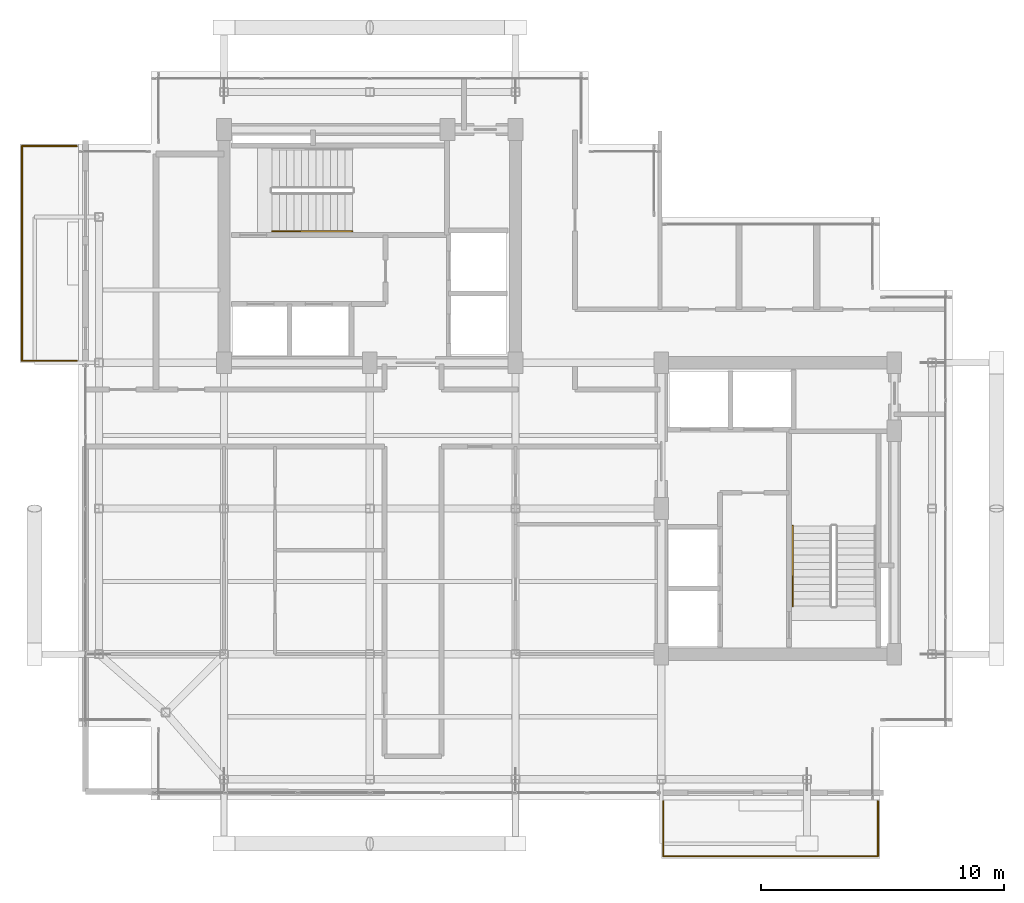
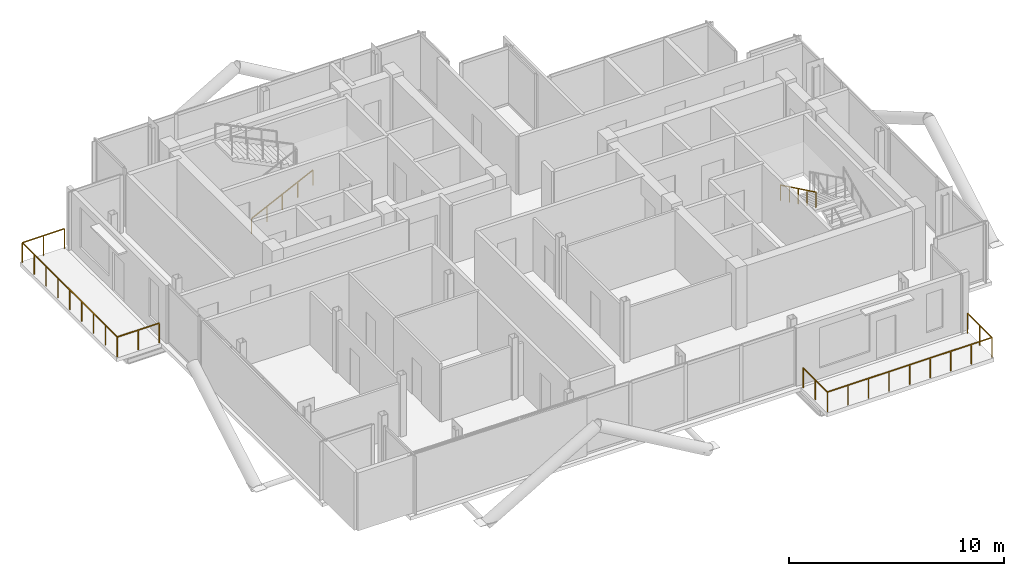
# One storey, part 18 of 19: 4 railings.
"""IFC4 building model written with IfcOpenShell, lengths in metres."""

import ifcopenshell
import ifcopenshell.guid

model = None  # the IFC model being written
_history = None  # IfcOwnerHistory: only IFC2X3 demands one
_inside = {}  # id of a spatial element -> (the spatial element, [elements in it])
_under = {}  # id of a project, library or spatial element -> (it, [spatial elements below it])
_declared = {}  # id of a project -> (the project, [libraries it declares])
_typed = {}  # id of a type object -> (the type object, [elements of that type])
_made_of = {}  # id of a material, layer set ... -> (it, [elements and type objects made of it])


def new_model(schema):
    """Start an empty IFC model of exactly this schema.

    Asked for "IFC4X3", IfcOpenShell would pick the latest addendum, in which some entities
    have other attributes; the version numbers below select the first issue.
    IFC2X3 requires an IfcOwnerHistory on every rooted entity: one is made here for all.
    """
    global model, _history
    if schema == "IFC4X3":
        model = ifcopenshell.file(schema_version=(4, 3, 0, 0))
    else:
        model = ifcopenshell.file(schema=schema)
    _inside.clear()
    _under.clear()
    _declared.clear()
    _typed.clear()
    _made_of.clear()
    _history = None
    if model.schema == "IFC2X3":
        org = make("IfcOrganization", Name="unknown")
        user = make(
            "IfcPersonAndOrganization",
            ThePerson=make("IfcPerson", FamilyName="unknown"),
            TheOrganization=org,
        )
        app = make(
            "IfcApplication",
            ApplicationDeveloper=org,
            Version="unknown",
            ApplicationFullName="unknown",
            ApplicationIdentifier="unknown",
        )
        _history = make(
            "IfcOwnerHistory",
            OwningUser=user,
            OwningApplication=app,
            ChangeAction="ADDED",
            CreationDate=0,
        )
    return model


def make(cls, **values):
    """One entity of the class cls with the attributes given. An attribute that is None is left unset."""
    return model.create_entity(
        cls, **{name: value for name, value in values.items() if value is not None}
    )


def rooted(cls, **values):
    """An entity with a GlobalId (a new one), such as an element, a storey or a relation."""
    return make(cls, GlobalId=ifcopenshell.guid.new(), OwnerHistory=_history, **values)


def si_unit(unit_type, name, prefix=None):
    """IfcSIUnit, for example si_unit("LENGTHUNIT", "METRE", prefix="MILLI")."""
    return make("IfcSIUnit", UnitType=unit_type, Prefix=prefix, Name=name)


def assignment(units):
    """IfcUnitAssignment: the units of a project."""
    return None if units is None else make("IfcUnitAssignment", Units=units)


def point(xyz):
    """IfcCartesianPoint."""
    return None if xyz is None else make("IfcCartesianPoint", Coordinates=xyz)


def direction(xyz):
    """IfcDirection."""
    return None if xyz is None else make("IfcDirection", DirectionRatios=xyz)


def frame(location, z_axis=None, x_axis=None):
    """IfcAxis2Placement3D, a coordinate frame: its origin and axes. An axis left out is left unset."""
    return make(
        "IfcAxis2Placement3D",
        Location=point(location),
        Axis=direction(z_axis),
        RefDirection=direction(x_axis),
    )


def frame_2d(location, x_axis=None):
    """IfcAxis2Placement2D, a coordinate frame in the plane: its origin and x axis."""
    return make(
        "IfcAxis2Placement2D", Location=point(location), RefDirection=direction(x_axis)
    )


def origin():
    """The frame at (0, 0, 0) with its axes left unset."""
    return frame((0.0, 0.0, 0.0))


def origin_2d():
    """The frame at (0, 0) in the plane with its x axis left unset."""
    return frame_2d((0.0, 0.0))


def place(relative_to, where):
    """IfcLocalPlacement: puts the frame where relative to a parent placement (None: the world)."""
    return make(
        "IfcLocalPlacement", PlacementRelTo=relative_to, RelativePlacement=where
    )


def context(
    kind, dimensions, precision=None, world=None, true_north=None, identifier=None
):
    """IfcGeometricRepresentationContext, for example the 3D "Model" context."""
    return make(
        "IfcGeometricRepresentationContext",
        ContextIdentifier=identifier,
        ContextType=kind,
        CoordinateSpaceDimension=dimensions,
        Precision=precision,
        WorldCoordinateSystem=world,
        TrueNorth=true_north,
    )


def subcontext(parent, identifier, kind, view, scale=None):
    """IfcGeometricRepresentationSubContext, for example "Body" below "Model"."""
    return make(
        "IfcGeometricRepresentationSubContext",
        ContextIdentifier=identifier,
        ContextType=kind,
        ParentContext=parent,
        TargetScale=scale,
        TargetView=view,
    )


def project(units=None, contexts=None):
    """IfcProject with its units and contexts."""
    return rooted(
        "IfcProject",
        Name="project",
        RepresentationContexts=contexts,
        UnitsInContext=assignment(units),
    )


def spatial(cls, under=None, at=None, **own):
    """A site, building, storey or space (cls), placed at a placement, below another one or the project."""
    s = rooted(cls, ObjectPlacement=at, **own)
    if under is not None:
        _under.setdefault(under.id(), (under, []))[1].append(s)
    return s


def profile(cls, at=None, kind="AREA", **sizes):
    """A parametric profile (cls). Its sizes go by their IFC names, for example OverallWidth=200.0."""
    return make(cls, ProfileType=kind, Position=at, **sizes)


def rectangle(**sizes):
    """IfcRectangleProfileDef."""
    return profile("IfcRectangleProfileDef", **sizes)


def extrude(swept, where, along, depth):
    """IfcExtrudedAreaSolid: the profile swept, set in the frame where, extruded along a direction by depth."""
    return make(
        "IfcExtrudedAreaSolid",
        SweptArea=swept,
        Position=where,
        ExtrudedDirection=direction(along),
        Depth=depth,
    )


def shape(context_of_items, identifier, shape_type, items):
    """IfcShapeRepresentation: the items that make up one representation, for example the "Body"."""
    return make(
        "IfcShapeRepresentation",
        ContextOfItems=context_of_items,
        RepresentationIdentifier=identifier,
        RepresentationType=shape_type,
        Items=items,
    )


def material(Name=None, Category=None):
    """IfcMaterial."""
    return make("IfcMaterial", Name=Name, Category=Category)


def made_of(thing, what):
    """Note that an element or type object is made of a material, layer set ...; save() writes the relation."""
    if what is not None:
        _made_of.setdefault(what.id(), (what, []))[1].append(thing)
    return thing


def type_object(cls, material=None, **own):
    """A type object (cls), such as IfcWallType, which elements share."""
    return made_of(rooted(cls, **own), material)


def element(
    cls,
    number,
    at=None,
    inside=None,
    cuts=None,
    type_object=None,
    material=None,
    context=None,
    identifier="Body",
    shape_type=None,
    held_by="IfcProductDefinitionShape",
    body=None,
    shapes=None,
    **own,
):
    """One element of the class cls, such as IfcWall. Its Tag is "e" and its number.

    at: its placement. inside: the storey or other place that contains it. cuts: it is an
    opening in that element (IfcRelVoidsElement). A single representation is given by context,
    identifier, shape_type and body (its items); several are given by shapes. held_by: the class
    of the entity that holds the representations. save() writes the other relations.
    """
    e = rooted(cls, Tag="e%d" % number, ObjectPlacement=at, **own)
    if body is not None:
        shapes = [shape(context, identifier, shape_type, body)]
    if shapes is not None:
        e.Representation = make(held_by, Representations=shapes)
    if inside is not None:
        _inside.setdefault(inside.id(), (inside, []))[1].append(e)
    if cuts is not None:
        rooted(
            "IfcRelVoidsElement", RelatingBuildingElement=cuts, RelatedOpeningElement=e
        )
    if type_object is not None:
        _typed.setdefault(type_object.id(), (type_object, []))[1].append(e)
    return made_of(e, material)


def aggregate(whole, parts):
    """IfcRelAggregates: a whole, such as a stair, and the parts it consists of."""
    return rooted("IfcRelAggregates", RelatingObject=whole, RelatedObjects=parts)


def save(model, path):
    """Write the relations noted so far, then the file.

    IfcRelAggregates (storeys below a building ...), IfcRelContainedInSpatialStructure (elements
    in a storey), IfcRelDefinesByType, IfcRelAssociatesMaterial and IfcRelDeclares: one each for
    every whole, place, type object, material and project.
    """
    for whole, parts in _under.values():
        aggregate(whole, parts)
    for where, things in _inside.values():
        rooted(
            "IfcRelContainedInSpatialStructure",
            RelatedElements=things,
            RelatingStructure=where,
        )
    for kind, things in _typed.values():
        rooted("IfcRelDefinesByType", RelatedObjects=things, RelatingType=kind)
    for what, things in _made_of.values():
        rooted("IfcRelAssociatesMaterial", RelatedObjects=things, RelatingMaterial=what)
    for by, libraries in _declared.values():
        rooted("IfcRelDeclares", RelatingContext=by, RelatedDefinitions=libraries)
    model.write(path)


model = new_model("IFC4")

# Units and contexts
model_context = context("Model", 3, precision=1e-05, world=origin(), true_north=direction((0.0, 1.0)))
body_context = subcontext(model_context, "Body", "Model", "MODEL_VIEW")
ifc_project = project(units=[si_unit("LENGTHUNIT", "METRE"), si_unit("AREAUNIT", "SQUARE_METRE"), si_unit("VOLUMEUNIT", "CUBIC_METRE"), si_unit("PLANEANGLEUNIT", "RADIAN"), si_unit("MASSUNIT", "GRAM", prefix="KILO"), si_unit("THERMODYNAMICTEMPERATUREUNIT", "KELVIN"), si_unit("POWERUNIT", "WATT")], contexts=[model_context])

# Site, building, storey
site_placement = place(None, origin())
site = spatial("IfcSite", under=ifc_project, at=site_placement, CompositionType="ELEMENT")
building_placement = place(site_placement, origin())
building = spatial("IfcBuilding", under=site, at=building_placement, Name="Svarakhadi Broadcast Tower", CompositionType="ELEMENT")
storey_placement = place(building_placement, frame((0.0, 0.0, 243.199951171875)))
storey = spatial("IfcBuildingStorey", under=building, at=storey_placement, Name="L60", CompositionType="ELEMENT", Elevation=243.199951171875)

# Railings
ifc_material_1 = material(Name="Laminated Structural SentryGlas Balustrade 25.5 mm", Category="glass")
railing_type_1 = type_object("IfcRailingType", Name="Guard_Balcony_GR01", PredefinedType="BALUSTRADE", material=ifc_material_1)
railing_1_placement = place(storey_placement, frame((24.080078125, -0.06005859375, 0.0)))
element("IfcRailing", 1, at=railing_1_placement, inside=storey, type_object=railing_type_1, Name="L60 South Tree Balcony Guard GR-05", PredefinedType="BALUSTRADE", context=body_context, shape_type="SweptSolid", body=[
    extrude(rectangle(XDim=0.048095703125, YDim=0.048095703125, at=origin_2d()), frame((0.0, 0.0, 1.1259765625), z_axis=(0.0, -1.0, 0.0), x_axis=(1.0, 0.0, 0.0)), (0.0, 0.0, 1.0), 2.260009765625),
    extrude(rectangle(XDim=0.048095703125, YDim=0.048095703125, at=origin_2d()), frame((0.0, -2.260009765625, 1.1259765625), z_axis=(1.0, 0.0, 0.0), x_axis=(0.0, 1.0, 0.0)), (0.0, 0.0, 1.0), 8.83984375),
    extrude(rectangle(XDim=0.048095703125, YDim=0.048095703125, at=origin_2d()), frame((8.83984375, -2.260009765625, 1.1259765625), z_axis=(0.0, 1.0, 0.0), x_axis=(-1.0, 0.0, 0.0)), (0.0, 0.0, 1.0), 2.260009765625),
    extrude(rectangle(XDim=0.0419921875, YDim=0.0419921875, at=origin_2d()), origin(), (0.0, 0.0, 1.0), 1.101806640625),
    extrude(rectangle(XDim=0.0419921875, YDim=0.0419921875, at=origin_2d()), frame((0.0, -1.1298828125, 0.0)), (0.0, 0.0, 1.0), 1.101806640625),
    extrude(rectangle(XDim=0.0419921875, YDim=0.0419921875, at=origin_2d()), frame((0.0, -2.260009765625, 0.0)), (0.0, 0.0, 1.0), 1.101806640625),
    extrude(rectangle(XDim=0.0419921875, YDim=0.0419921875, at=origin_2d()), frame((1.10498046875, -2.260009765625, 0.0)), (0.0, 0.0, 1.0), 1.101806640625),
    extrude(rectangle(XDim=0.0419921875, YDim=0.0419921875, at=origin_2d()), frame((2.2099609375, -2.260009765625, 0.0)), (0.0, 0.0, 1.0), 1.101806640625),
    extrude(rectangle(XDim=0.0419921875, YDim=0.0419921875, at=origin_2d()), frame((3.31494140625, -2.260009765625, 0.0)), (0.0, 0.0, 1.0), 1.101806640625),
    extrude(rectangle(XDim=0.0419921875, YDim=0.0419921875, at=origin_2d()), frame((4.419921875, -2.260009765625, 0.0)), (0.0, 0.0, 1.0), 1.101806640625),
    extrude(rectangle(XDim=0.0419921875, YDim=0.0419921875, at=origin_2d()), frame((5.52490234375, -2.260009765625, 0.0)), (0.0, 0.0, 1.0), 1.101806640625),
    extrude(rectangle(XDim=0.0419921875, YDim=0.0419921875, at=origin_2d()), frame((6.6298828125, -2.260009765625, 0.0)), (0.0, 0.0, 1.0), 1.101806640625),
    extrude(rectangle(XDim=0.0419921875, YDim=0.0419921875, at=origin_2d()), frame((7.73486328125, -2.260009765625, 0.0)), (0.0, 0.0, 1.0), 1.101806640625),
    extrude(rectangle(XDim=0.0419921875, YDim=0.0419921875, at=origin_2d()), frame((8.83984375, -2.260009765625, 0.0)), (0.0, 0.0, 1.0), 1.101806640625),
    extrude(rectangle(XDim=0.0419921875, YDim=0.0419921875, at=origin_2d()), frame((8.83984375, -1.1298828125, 0.0)), (0.0, 0.0, 1.0), 1.101806640625),
    extrude(rectangle(XDim=0.0419921875, YDim=0.0419921875, at=origin_2d()), frame((8.83984375, 0.0, 0.0)), (0.0, 0.0, 1.0), 1.101806640625),
])
railing_2_placement = place(storey_placement, frame((-0.06005859375, 18.080078125, 0.0)))
element("IfcRailing", 2, at=railing_2_placement, inside=storey, type_object=railing_type_1, Name="L60 West Tree Balcony Guard GR-05", PredefinedType="BALUSTRADE", context=body_context, shape_type="SweptSolid", body=[
    extrude(rectangle(XDim=0.048095703125, YDim=0.048095703125, at=origin_2d()), frame((0.0, 0.0, 1.1259765625), z_axis=(-1.0, 0.0, 0.0), x_axis=(0.0, -1.0, 0.0)), (0.0, 0.0, 1.0), 2.260009765625),
    extrude(rectangle(XDim=0.048095703125, YDim=0.048095703125, at=origin_2d()), frame((-2.260009765625, 0.0, 1.1259765625), z_axis=(0.0, 1.0, 0.0), x_axis=(-1.0, 0.0, 0.0)), (0.0, 0.0, 1.0), 8.83984375),
    extrude(rectangle(XDim=0.048095703125, YDim=0.048095703125, at=origin_2d()), frame((-2.260009765625, 8.83984375, 1.1259765625), z_axis=(1.0, 0.0, 0.0), x_axis=(0.0, 1.0, 0.0)), (0.0, 0.0, 1.0), 2.260009765625),
    extrude(rectangle(XDim=0.0419921875, YDim=0.0419921875, at=origin_2d()), origin(), (0.0, 0.0, 1.0), 1.101806640625),
    extrude(rectangle(XDim=0.0419921875, YDim=0.0419921875, at=origin_2d()), frame((-1.1298828125, 0.0, 0.0)), (0.0, 0.0, 1.0), 1.101806640625),
    extrude(rectangle(XDim=0.0419921875, YDim=0.0419921875, at=origin_2d()), frame((-2.260009765625, 0.0, 0.0)), (0.0, 0.0, 1.0), 1.101806640625),
    extrude(rectangle(XDim=0.0419921875, YDim=0.0419921875, at=origin_2d()), frame((-2.260009765625, 1.10498046875, 0.0)), (0.0, 0.0, 1.0), 1.101806640625),
    extrude(rectangle(XDim=0.0419921875, YDim=0.0419921875, at=origin_2d()), frame((-2.260009765625, 2.2099609375, 0.0)), (0.0, 0.0, 1.0), 1.101806640625),
    extrude(rectangle(XDim=0.0419921875, YDim=0.0419921875, at=origin_2d()), frame((-2.260009765625, 3.31494140625, 0.0)), (0.0, 0.0, 1.0), 1.101806640625),
    extrude(rectangle(XDim=0.0419921875, YDim=0.0419921875, at=origin_2d()), frame((-2.260009765625, 4.419921875, 0.0)), (0.0, 0.0, 1.0), 1.101806640625),
    extrude(rectangle(XDim=0.0419921875, YDim=0.0419921875, at=origin_2d()), frame((-2.260009765625, 5.52490234375, 0.0)), (0.0, 0.0, 1.0), 1.101806640625),
    extrude(rectangle(XDim=0.0419921875, YDim=0.0419921875, at=origin_2d()), frame((-2.260009765625, 6.6298828125, 0.0)), (0.0, 0.0, 1.0), 1.101806640625),
    extrude(rectangle(XDim=0.0419921875, YDim=0.0419921875, at=origin_2d()), frame((-2.260009765625, 7.73486328125, 0.0)), (0.0, 0.0, 1.0), 1.101806640625),
    extrude(rectangle(XDim=0.0419921875, YDim=0.0419921875, at=origin_2d()), frame((-2.260009765625, 8.83984375, 0.0)), (0.0, 0.0, 1.0), 1.101806640625),
    extrude(rectangle(XDim=0.0419921875, YDim=0.0419921875, at=origin_2d()), frame((-1.1298828125, 8.83984375, 0.0)), (0.0, 0.0, 1.0), 1.101806640625),
    extrude(rectangle(XDim=0.0419921875, YDim=0.0419921875, at=origin_2d()), frame((0.0, 8.83984375, 0.0)), (0.0, 0.0, 1.0), 1.101806640625),
])
ifc_material_2 = material(Name="Anodised Bronze Aluminium AA 6063-T6", Category="aluminium")
railing_type_2 = type_object("IfcRailingType", Name="Handrail_Stair_HR01", PredefinedType="HANDRAIL", material=ifc_material_2)
railing_3_placement = place(storey_placement, frame((7.97998046875, 23.409912109375, 0.14599609375)))
element("IfcRailing", 3, at=railing_3_placement, inside=storey, type_object=railing_type_2, Name="L60 ST-01 stair handrail 1", PredefinedType="HANDRAIL", context=body_context, shape_type="SweptSolid", body=[
    extrude(rectangle(XDim=0.048095703125, YDim=0.048095703125, at=origin_2d()), frame((0.0, 0.0, 0.8759765625), z_axis=(0.899387838337, 0.0, 0.437151594131), x_axis=(0.0, 1.0, 0.0)), (0.0, 0.0, 1.0), 3.669189453125),
    extrude(rectangle(XDim=0.0419921875, YDim=0.0419921875, at=origin_2d()), origin(), (0.0, 0.0, 1.0), 0.851806640625),
    extrude(rectangle(XDim=0.0419921875, YDim=0.0419921875, at=origin_2d()), frame((0.824951171875, 0.0, 0.40087890625)), (0.0, 0.0, 1.0), 0.851806640625),
    extrude(rectangle(XDim=0.0419921875, YDim=0.0419921875, at=origin_2d()), frame((1.64990234375, 0.0, 0.802001953125)), (0.0, 0.0, 1.0), 0.851806640625),
    extrude(rectangle(XDim=0.0419921875, YDim=0.0419921875, at=origin_2d()), frame((2.47509765625, 0.0, 1.203125)), (0.0, 0.0, 1.0), 0.851806640625),
    extrude(rectangle(XDim=0.0419921875, YDim=0.0419921875, at=origin_2d()), frame((3.300048828125, 0.0, 1.60400390625)), (0.0, 0.0, 1.0), 0.851806640625),
])
railing_4_placement = place(storey_placement, frame((29.409912109375, 11.280029296875, 1.89599609375)))
element("IfcRailing", 4, at=railing_4_placement, inside=storey, type_object=railing_type_2, Name="L60 ST-02 stair handrail 2", PredefinedType="HANDRAIL", context=body_context, shape_type="SweptSolid", body=[
    extrude(rectangle(XDim=0.048095703125, YDim=0.048095703125, at=origin_2d()), frame((0.0, 0.0, 0.8759765625), z_axis=(0.0, -0.899387838337, 0.437151594131), x_axis=(1.0, 0.0, 0.0)), (0.0, 0.0, 1.0), 3.669189453125),
    extrude(rectangle(XDim=0.0419921875, YDim=0.0419921875, at=origin_2d()), origin(), (0.0, 0.0, 1.0), 0.851806640625),
    extrude(rectangle(XDim=0.0419921875, YDim=0.0419921875, at=origin_2d()), frame((0.0, -0.824951171875, 0.40087890625)), (0.0, 0.0, 1.0), 0.851806640625),
    extrude(rectangle(XDim=0.0419921875, YDim=0.0419921875, at=origin_2d()), frame((0.0, -1.64990234375, 0.802001953125)), (0.0, 0.0, 1.0), 0.851806640625),
    extrude(rectangle(XDim=0.0419921875, YDim=0.0419921875, at=origin_2d()), frame((0.0, -2.47509765625, 1.203125)), (0.0, 0.0, 1.0), 0.851806640625),
    extrude(rectangle(XDim=0.0419921875, YDim=0.0419921875, at=origin_2d()), frame((0.0, -3.300048828125, 1.60400390625)), (0.0, 0.0, 1.0), 0.851806640625),
])

save(model, "model.ifc")
